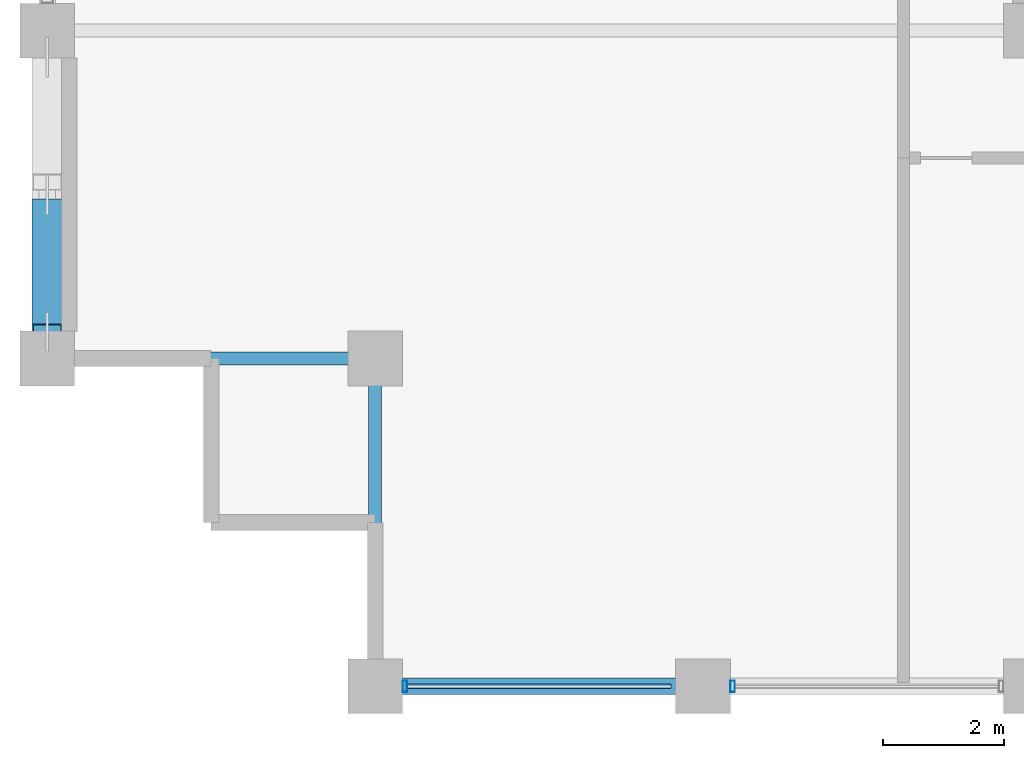
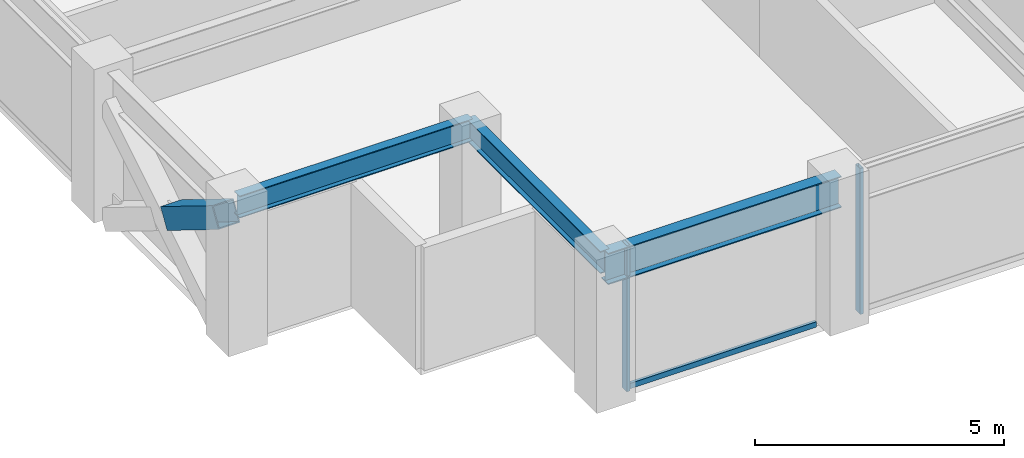
# One storey, part 2 of 32: 4 members, 3 beams, 1 element without a shape of its own.
"""IFC4 building model written with IfcOpenShell, lengths in metres."""

from ifc_helpers import new_model, si_unit, direction, frame, origin, origin_2d, place, context, subcontext, project, spatial, hollow_rectangle, i_section, extrude, material, layer, layer_set, material_profile, profile_set, type_object, element, aggregate, save


model = new_model("IFC4")

# Units and contexts
model_context = context("Model", 3, precision=1e-05, world=origin(), true_north=direction((0.0, 1.0)))
body_context = subcontext(model_context, "Body", "Model", "MODEL_VIEW")
ifc_project = project(units=[si_unit("LENGTHUNIT", "METRE"), si_unit("AREAUNIT", "SQUARE_METRE"), si_unit("VOLUMEUNIT", "CUBIC_METRE"), si_unit("PLANEANGLEUNIT", "RADIAN"), si_unit("MASSUNIT", "GRAM", prefix="KILO")], contexts=[model_context])

# Site, building, storey
site_placement = place(None, origin())
site = spatial("IfcSite", under=ifc_project, at=site_placement, CompositionType="ELEMENT")
building_placement = place(site_placement, origin())
building = spatial("IfcBuilding", under=site, at=building_placement, Name="Surkhivell Harbour Commons", CompositionType="ELEMENT")
storey_placement = place(building_placement, frame((0.0, 0.0, 208.5)))
storey = spatial("IfcBuildingStorey", under=building, at=storey_placement, Name="L54", CompositionType="ELEMENT", Elevation=208.5)

# Beams
ifc_material_1 = material(Name="Steel S355", Category="steel")
ifc_material_profile_1 = material_profile(ifc_material_1, i_section(OverallWidth=0.2119140625, OverallDepth=0.5439453125, WebThickness=0.0126953125, FlangeThickness=0.021240234375, at=origin_2d()), Name="UB533x210x122")
ifc_profile_set_1 = profile_set([ifc_material_profile_1], Name="Steel S355")
beam_type_1 = type_object("IfcBeamType", Name="BM-GRD-533A", PredefinedType="BEAM", material=ifc_profile_set_1)
beam_1_placement = place(storey_placement, frame((-27.0, -16.199951171875, 3.298095703125), z_axis=(1.0, 0.0, 0.0), x_axis=(0.0, 1.0, 0.0)))
element("IfcBeam", 1, at=beam_1_placement, inside=storey, type_object=beam_type_1, Name="L54 Floor Girder (-27.0,-16.2)", PredefinedType="BEAM", context=body_context, shape_type="SweptSolid", body=[
    extrude(i_section(OverallWidth=0.2119140625, OverallDepth=0.5439453125, WebThickness=0.0126953125, FlangeThickness=0.021240234375, at=origin_2d()), origin(), (0.0, 0.0, 1.0), 5.39990234375),
])
beam_2_placement = place(storey_placement, frame((-21.60009765625, -21.60009765625, 3.298095703125), z_axis=(0.0, 1.0, 0.0), x_axis=(-1.0, 0.0, 0.0)))
element("IfcBeam", 2, at=beam_2_placement, inside=storey, type_object=beam_type_1, Name="L54 Floor Girder (-21.6,-21.6)", PredefinedType="BEAM", context=body_context, shape_type="SweptSolid", body=[
    extrude(i_section(OverallWidth=0.2119140625, OverallDepth=0.5439453125, WebThickness=0.0126953125, FlangeThickness=0.021240234375, at=origin_2d()), origin(), (0.0, 0.0, 1.0), 5.400146484375),
])
ifc_material_profile_2 = material_profile(ifc_material_1, i_section(OverallWidth=0.26806640625, OverallDepth=0.77001953125, WebThickness=0.015625, FlangeThickness=0.025390625, at=origin_2d()), Name="UB762x267x197")
ifc_profile_set_2 = profile_set([ifc_material_profile_2], Name="Steel S355")
beam_type_2 = type_object("IfcBeamType", Name="BM-SPN-762", PredefinedType="SPANDREL", material=ifc_profile_set_2)
beam_3_placement = place(storey_placement, frame((-21.60009765625, -21.60009765625, 3.18505859375), z_axis=(1.0, 0.0, 0.0), x_axis=(0.0, 1.0, 0.0)))
element("IfcBeam", 3, at=beam_3_placement, inside=storey, type_object=beam_type_2, Name="L54 Tube Spandrel (-21.6,-21.6)", PredefinedType="SPANDREL", context=body_context, shape_type="SweptSolid", body=[
    extrude(i_section(OverallWidth=0.26806640625, OverallDepth=0.77001953125, WebThickness=0.015625, FlangeThickness=0.025390625, at=origin_2d()), origin(), (0.0, 0.0, 1.0), 5.400146484375),
])

# Curtain wall, members
ifc_material_2 = material(Name="Anodised pale-metal aluminium and insulated glazing", Category="aluminium")
ifc_layer = layer(ifc_material_2, 0.18994140625)
ifc_layer_set = layer_set([ifc_layer], Name="Anodised pale-metal aluminium and insulated glazing")
curtain_wall_type = type_object("IfcCurtainWallType", Name="CW-SYS-Z3", PredefinedType="NOTDEFINED", material=ifc_layer_set)
curtain_wall_placement = place(storey_placement, origin())
curtain_wall = element("IfcCurtainWall", 4, at=curtain_wall_placement, inside=storey, type_object=curtain_wall_type, Name="L54 Curtain Wall CW-L54-E00S1", PredefinedType="NOTDEFINED")
ifc_material_3 = material(Name="Anodised pale-metal aluminium alloy 6063-T6", Category="aluminium")
ifc_material_profile_3 = material_profile(ifc_material_3, hollow_rectangle(XDim=0.074951171875, YDim=0.18994140625, WallThickness=0.00390625, at=origin_2d()), Name="ALU-MULL-75x190")
ifc_profile_set_3 = profile_set([ifc_material_profile_3], Name="Anodised pale-metal aluminium alloy 6063-T6")
member_type_1 = type_object("IfcMemberType", Name="CWM-190", PredefinedType="MULLION", material=ifc_profile_set_3)
member_1_placement = place(storey_placement, frame((-21.110595703125, -21.60009765625, 0.0), z_axis=(0.0, 0.0, 1.0), x_axis=(1.0, 0.0, 0.0)))
member_1 = element("IfcMember", 5, at=member_1_placement, type_object=member_type_1, Name="CW-Z3 mullion 1", PredefinedType="MULLION", context=body_context, shape_type="SweptSolid", body=[
    extrude(hollow_rectangle(XDim=0.074951171875, YDim=0.18994140625, WallThickness=0.00390625, at=origin_2d()), origin(), (0.0, 0.0, 1.0), 3.570068359375),
])
member_2_placement = place(storey_placement, frame((-15.71044921875, -21.60009765625, 0.0), z_axis=(0.0, 0.0, 1.0), x_axis=(1.0, 0.0, 0.0)))
member_2 = element("IfcMember", 6, at=member_2_placement, type_object=member_type_1, Name="CW-Z3 mullion 2", PredefinedType="MULLION", context=body_context, shape_type="SweptSolid", body=[
    extrude(hollow_rectangle(XDim=0.074951171875, YDim=0.18994140625, WallThickness=0.00390625, at=origin_2d()), origin(), (0.0, 0.0, 1.0), 3.570068359375),
])
ifc_material_4 = material(Name="Champagne anodised aluminium alloy 6063-T6", Category="aluminium")
ifc_material_profile_4 = material_profile(ifc_material_4, hollow_rectangle(XDim=0.070068359375, YDim=0.1298828125, WallThickness=0.00341796875, at=origin_2d()), Name="ALU-TRAN-70x130")
ifc_profile_set_4 = profile_set([ifc_material_profile_4], Name="Champagne anodised aluminium alloy 6063-T6")
member_type_2 = type_object("IfcMemberType", Name="CWT-130", PredefinedType="USERDEFINED", material=ifc_profile_set_4)
member_3_placement = place(storey_placement, frame((-21.072998046875, -21.60009765625, 0.06494140625), z_axis=(1.0, 0.0, 0.0), x_axis=(0.0, 1.0, 0.0)))
member_3 = element("IfcMember", 7, at=member_3_placement, type_object=member_type_2, Name="CW-Z3 transom 1.1", ObjectType="TRANSOM", PredefinedType="USERDEFINED", context=body_context, shape_type="SweptSolid", body=[
    extrude(hollow_rectangle(XDim=0.070068359375, YDim=0.1298828125, WallThickness=0.00341796875, at=origin_2d()), origin(), (0.0, 0.0, 1.0), 4.345947265625),
])
aggregate(curtain_wall, [member_1, member_3, member_2])

# Member
ifc_material_5 = material(Name="Steel S460", Category="steel")
ifc_material_profile_5 = material_profile(ifc_material_5, hollow_rectangle(XDim=0.5, YDim=0.5, WallThickness=0.02490234375, at=origin_2d()), Name="SHS500x500x25")
ifc_profile_set_5 = profile_set([ifc_material_profile_5], Name="Steel S460")
member_type_3 = type_object("IfcMemberType", Name="MEM-BRC-SHS500", PredefinedType="BRACE", material=ifc_profile_set_5)
member_4_placement = place(storey_placement, frame((-27.0, -13.7041015625, 1.531982421875), z_axis=(0.0, -0.850958361341, 0.525233155146), x_axis=(1.0, 0.0, 0.0)))
element("IfcMember", 8, at=member_4_placement, inside=storey, type_object=member_type_3, Name="L54 Perimeter Mega-Brace MB- 12", PredefinedType="BRACE", context=body_context, shape_type="SweptSolid", body=[
    extrude(hollow_rectangle(XDim=0.5, YDim=0.5, WallThickness=0.02490234375, at=origin_2d()), origin(), (0.0, 0.0, 1.0), 2.421630859375),
])

save(model, "model.ifc")
